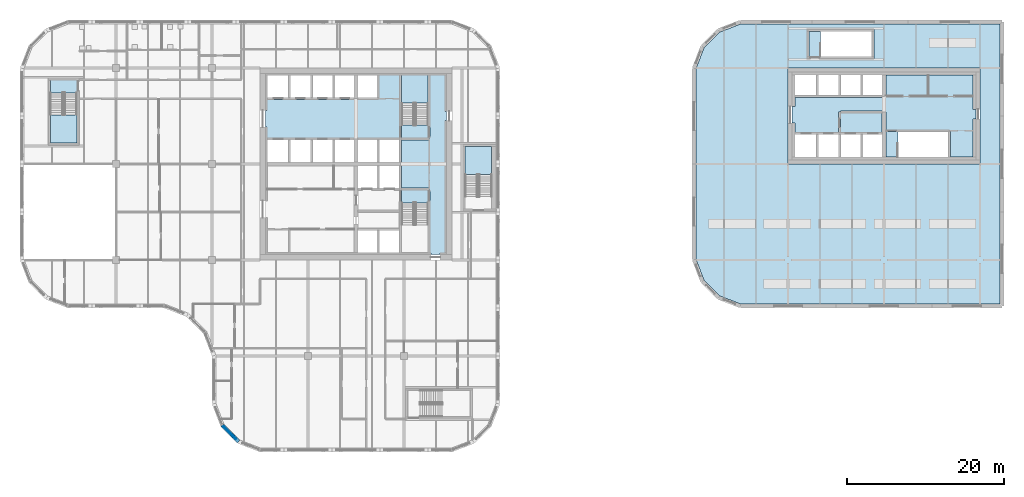
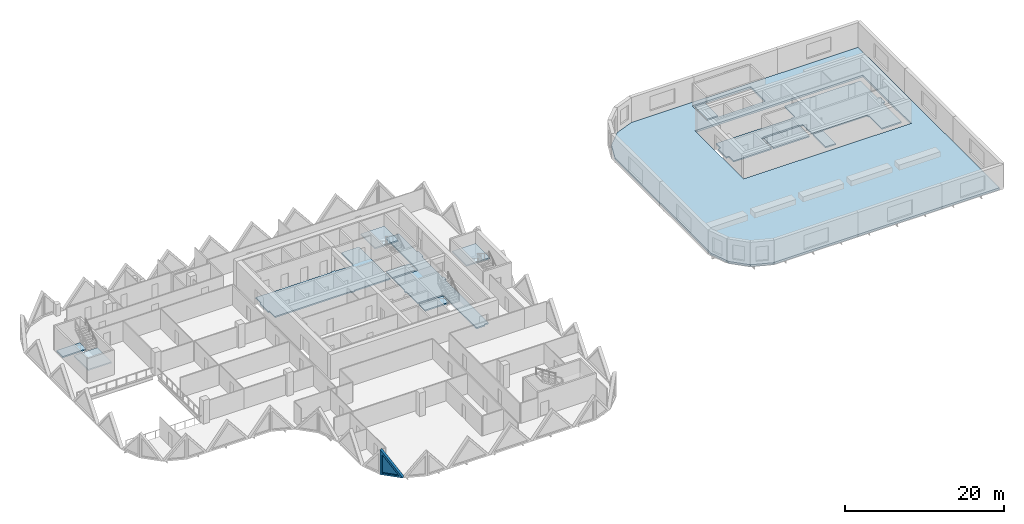
# One storey, part 3 of 17: 13 slabs, 1 plate, 1 wall, 1 opening, 3 elements without a shape of their own.
"""IFC4 building model written with IfcOpenShell, lengths in metres."""

import ifcopenshell
import ifcopenshell.guid

model = None  # the IFC model being written
_history = None  # IfcOwnerHistory: only IFC2X3 demands one
_inside = {}  # id of a spatial element -> (the spatial element, [elements in it])
_under = {}  # id of a project, library or spatial element -> (it, [spatial elements below it])
_declared = {}  # id of a project -> (the project, [libraries it declares])
_typed = {}  # id of a type object -> (the type object, [elements of that type])
_made_of = {}  # id of a material, layer set ... -> (it, [elements and type objects made of it])


def new_model(schema):
    """Start an empty IFC model of exactly this schema.

    Asked for "IFC4X3", IfcOpenShell would pick the latest addendum, in which some entities
    have other attributes; the version numbers below select the first issue.
    IFC2X3 requires an IfcOwnerHistory on every rooted entity: one is made here for all.
    """
    global model, _history
    if schema == "IFC4X3":
        model = ifcopenshell.file(schema_version=(4, 3, 0, 0))
    else:
        model = ifcopenshell.file(schema=schema)
    _inside.clear()
    _under.clear()
    _declared.clear()
    _typed.clear()
    _made_of.clear()
    _history = None
    if model.schema == "IFC2X3":
        org = make("IfcOrganization", Name="unknown")
        user = make(
            "IfcPersonAndOrganization",
            ThePerson=make("IfcPerson", FamilyName="unknown"),
            TheOrganization=org,
        )
        app = make(
            "IfcApplication",
            ApplicationDeveloper=org,
            Version="unknown",
            ApplicationFullName="unknown",
            ApplicationIdentifier="unknown",
        )
        _history = make(
            "IfcOwnerHistory",
            OwningUser=user,
            OwningApplication=app,
            ChangeAction="ADDED",
            CreationDate=0,
        )
    return model


def make(cls, **values):
    """One entity of the class cls with the attributes given. An attribute that is None is left unset."""
    return model.create_entity(
        cls, **{name: value for name, value in values.items() if value is not None}
    )


def rooted(cls, **values):
    """An entity with a GlobalId (a new one), such as an element, a storey or a relation."""
    return make(cls, GlobalId=ifcopenshell.guid.new(), OwnerHistory=_history, **values)


def si_unit(unit_type, name, prefix=None):
    """IfcSIUnit, for example si_unit("LENGTHUNIT", "METRE", prefix="MILLI")."""
    return make("IfcSIUnit", UnitType=unit_type, Prefix=prefix, Name=name)


def assignment(units):
    """IfcUnitAssignment: the units of a project."""
    return None if units is None else make("IfcUnitAssignment", Units=units)


def point(xyz):
    """IfcCartesianPoint."""
    return None if xyz is None else make("IfcCartesianPoint", Coordinates=xyz)


def direction(xyz):
    """IfcDirection."""
    return None if xyz is None else make("IfcDirection", DirectionRatios=xyz)


def frame(location, z_axis=None, x_axis=None):
    """IfcAxis2Placement3D, a coordinate frame: its origin and axes. An axis left out is left unset."""
    return make(
        "IfcAxis2Placement3D",
        Location=point(location),
        Axis=direction(z_axis),
        RefDirection=direction(x_axis),
    )


def origin():
    """The frame at (0, 0, 0) with its axes left unset."""
    return frame((0.0, 0.0, 0.0))


def place(relative_to, where):
    """IfcLocalPlacement: puts the frame where relative to a parent placement (None: the world)."""
    return make(
        "IfcLocalPlacement", PlacementRelTo=relative_to, RelativePlacement=where
    )


def context(
    kind, dimensions, precision=None, world=None, true_north=None, identifier=None
):
    """IfcGeometricRepresentationContext, for example the 3D "Model" context."""
    return make(
        "IfcGeometricRepresentationContext",
        ContextIdentifier=identifier,
        ContextType=kind,
        CoordinateSpaceDimension=dimensions,
        Precision=precision,
        WorldCoordinateSystem=world,
        TrueNorth=true_north,
    )


def subcontext(parent, identifier, kind, view, scale=None):
    """IfcGeometricRepresentationSubContext, for example "Body" below "Model"."""
    return make(
        "IfcGeometricRepresentationSubContext",
        ContextIdentifier=identifier,
        ContextType=kind,
        ParentContext=parent,
        TargetScale=scale,
        TargetView=view,
    )


def project(units=None, contexts=None):
    """IfcProject with its units and contexts."""
    return rooted(
        "IfcProject",
        Name="project",
        RepresentationContexts=contexts,
        UnitsInContext=assignment(units),
    )


def spatial(cls, under=None, at=None, **own):
    """A site, building, storey or space (cls), placed at a placement, below another one or the project."""
    s = rooted(cls, ObjectPlacement=at, **own)
    if under is not None:
        _under.setdefault(under.id(), (under, []))[1].append(s)
    return s


def polyline(points):
    """IfcPolyline through the points."""
    return make("IfcPolyline", Points=[point(p) for p in points])


def outline(outer, holes=None, kind="AREA"):
    """IfcArbitraryClosedProfileDef: a profile drawn as a closed curve; with holes, ...WithVoids."""
    if holes is None:
        return make("IfcArbitraryClosedProfileDef", ProfileType=kind, OuterCurve=outer)
    return make(
        "IfcArbitraryProfileDefWithVoids",
        ProfileType=kind,
        OuterCurve=outer,
        InnerCurves=holes,
    )


def extrude(swept, where, along, depth):
    """IfcExtrudedAreaSolid: the profile swept, set in the frame where, extruded along a direction by depth."""
    return make(
        "IfcExtrudedAreaSolid",
        SweptArea=swept,
        Position=where,
        ExtrudedDirection=direction(along),
        Depth=depth,
    )


def faces_of(points, faces, orient=None, outer=None):
    """IfcFace entities. A face is a list of loops; a loop is a list of indices into points, from 0.

    orient and outer hold one flag for each loop. By default every Orientation is true, the
    first loop of a face is its IfcFaceOuterBound and the others are IfcFaceBound.
    """
    made = []
    for i, loops in enumerate(faces):
        bounds = []
        for j, loop in enumerate(loops):
            is_outer = j == 0 if outer is None else outer[i][j]
            bounds.append(
                make(
                    "IfcFaceOuterBound" if is_outer else "IfcFaceBound",
                    Bound=make("IfcPolyLoop", Polygon=[points[k] for k in loop]),
                    Orientation=True if orient is None else orient[i][j],
                )
            )
        made.append(make("IfcFace", Bounds=bounds))
    return made


def faceted_brep(points, faces, orient=None, outer=None, voids=None):
    """IfcFacetedBrep: a solid bounded by flat faces; with voids (closed shells), ...WithVoids."""
    shared = [point(p) for p in points]
    hull = make("IfcClosedShell", CfsFaces=faces_of(shared, faces, orient, outer))
    if voids is None:
        return make("IfcFacetedBrep", Outer=hull)
    return make(
        "IfcFacetedBrepWithVoids",
        Outer=hull,
        Voids=[
            make(cls, CfsFaces=faces_of(shared, fs, o, b)) for cls, fs, o, b in voids
        ],
    )


def shape(context_of_items, identifier, shape_type, items):
    """IfcShapeRepresentation: the items that make up one representation, for example the "Body"."""
    return make(
        "IfcShapeRepresentation",
        ContextOfItems=context_of_items,
        RepresentationIdentifier=identifier,
        RepresentationType=shape_type,
        Items=items,
    )


def source(mapping_origin, context_of_items, identifier, shape_type, items):
    """IfcRepresentationMap: a shape defined once, which mapped items show again and again."""
    return make(
        "IfcRepresentationMap",
        MappingOrigin=mapping_origin,
        MappedRepresentation=shape(context_of_items, identifier, shape_type, items),
    )


def transform(
    local_origin,
    x_axis=None,
    y_axis=None,
    z_axis=None,
    scale=None,
    scale2=None,
    scale3=None,
    uniform=True,
):
    """IfcCartesianTransformationOperator3D, or its non-uniform kind. x_axis, y_axis, z_axis: its Axis1, 2, 3."""
    if uniform:
        return make(
            "IfcCartesianTransformationOperator3D",
            Axis1=direction(x_axis),
            Axis2=direction(y_axis),
            LocalOrigin=point(local_origin),
            Scale=scale,
            Axis3=direction(z_axis),
        )
    return make(
        "IfcCartesianTransformationOperator3DnonUniform",
        Axis1=direction(x_axis),
        Axis2=direction(y_axis),
        LocalOrigin=point(local_origin),
        Scale=scale,
        Axis3=direction(z_axis),
        Scale2=scale2,
        Scale3=scale3,
    )


def mapped(mapping_source, mapping_target):
    """IfcMappedItem: shows the shape of a source again, moved by a transform."""
    return make(
        "IfcMappedItem", MappingSource=mapping_source, MappingTarget=mapping_target
    )


def material(Name=None, Category=None):
    """IfcMaterial."""
    return make("IfcMaterial", Name=Name, Category=Category)


def layer(
    of_material, thickness, ventilated=None, Name=None, Category=None, Priority=None
):
    """IfcMaterialLayer: one layer of a wall or slab, of a material (None: an air gap)."""
    return make(
        "IfcMaterialLayer",
        Material=of_material,
        LayerThickness=thickness,
        IsVentilated=ventilated,
        Name=Name,
        Category=Category,
        Priority=Priority,
    )


def layer_set(layers, Name=None):
    """IfcMaterialLayerSet."""
    return make("IfcMaterialLayerSet", MaterialLayers=layers, LayerSetName=Name)


def made_of(thing, what):
    """Note that an element or type object is made of a material, layer set ...; save() writes the relation."""
    if what is not None:
        _made_of.setdefault(what.id(), (what, []))[1].append(thing)
    return thing


def type_object(cls, material=None, **own):
    """A type object (cls), such as IfcWallType, which elements share."""
    return made_of(rooted(cls, **own), material)


def element(
    cls,
    number,
    at=None,
    inside=None,
    cuts=None,
    type_object=None,
    material=None,
    context=None,
    identifier="Body",
    shape_type=None,
    held_by="IfcProductDefinitionShape",
    body=None,
    shapes=None,
    **own,
):
    """One element of the class cls, such as IfcWall. Its Tag is "e" and its number.

    at: its placement. inside: the storey or other place that contains it. cuts: it is an
    opening in that element (IfcRelVoidsElement). A single representation is given by context,
    identifier, shape_type and body (its items); several are given by shapes. held_by: the class
    of the entity that holds the representations. save() writes the other relations.
    """
    e = rooted(cls, Tag="e%d" % number, ObjectPlacement=at, **own)
    if body is not None:
        shapes = [shape(context, identifier, shape_type, body)]
    if shapes is not None:
        e.Representation = make(held_by, Representations=shapes)
    if inside is not None:
        _inside.setdefault(inside.id(), (inside, []))[1].append(e)
    if cuts is not None:
        rooted(
            "IfcRelVoidsElement", RelatingBuildingElement=cuts, RelatedOpeningElement=e
        )
    if type_object is not None:
        _typed.setdefault(type_object.id(), (type_object, []))[1].append(e)
    return made_of(e, material)


def fill(opening, filler):
    """IfcRelFillsElement: the door or window that sits in an opening."""
    return rooted(
        "IfcRelFillsElement",
        RelatingOpeningElement=opening,
        RelatedBuildingElement=filler,
    )


def aggregate(whole, parts):
    """IfcRelAggregates: a whole, such as a stair, and the parts it consists of."""
    return rooted("IfcRelAggregates", RelatingObject=whole, RelatedObjects=parts)


def save(model, path):
    """Write the relations noted so far, then the file.

    IfcRelAggregates (storeys below a building ...), IfcRelContainedInSpatialStructure (elements
    in a storey), IfcRelDefinesByType, IfcRelAssociatesMaterial and IfcRelDeclares: one each for
    every whole, place, type object, material and project.
    """
    for whole, parts in _under.values():
        aggregate(whole, parts)
    for where, things in _inside.values():
        rooted(
            "IfcRelContainedInSpatialStructure",
            RelatedElements=things,
            RelatingStructure=where,
        )
    for kind, things in _typed.values():
        rooted("IfcRelDefinesByType", RelatedObjects=things, RelatingType=kind)
    for what, things in _made_of.values():
        rooted("IfcRelAssociatesMaterial", RelatedObjects=things, RelatingMaterial=what)
    for by, libraries in _declared.values():
        rooted("IfcRelDeclares", RelatingContext=by, RelatedDefinitions=libraries)
    model.write(path)


model = new_model("IFC4")

# Units and contexts
model_context = context("Model", 3, precision=1e-05, world=origin(), true_north=direction((0.0, 1.0)))
body_context = subcontext(model_context, "Body", "Model", "MODEL_VIEW")
ifc_project = project(units=[si_unit("LENGTHUNIT", "METRE"), si_unit("AREAUNIT", "SQUARE_METRE"), si_unit("VOLUMEUNIT", "CUBIC_METRE"), si_unit("PLANEANGLEUNIT", "RADIAN"), si_unit("MASSUNIT", "GRAM", prefix="KILO")], contexts=[model_context])

# Site, building, storey
site_placement = place(None, origin())
site = spatial("IfcSite", under=ifc_project, at=site_placement, CompositionType="ELEMENT")
building_placement = place(site_placement, origin())
building = spatial("IfcBuilding", under=site, at=building_placement, Name="Tessera Gate Towers", CompositionType="ELEMENT")
storey_placement = place(building_placement, frame((0.0, 0.0, 112.60009765625)))
storey = spatial("IfcBuildingStorey", under=building, at=storey_placement, Name="L27", CompositionType="ELEMENT", Elevation=112.60009765625)

# Slabs
ifc_material_1 = material(Name="Concrete C35/45", Category="concrete")
ifc_layer_1 = layer(ifc_material_1, 0.199951171875)
ifc_layer_set_1 = layer_set([ifc_layer_1], Name="CORE FLOOR SLAB 200")
slab_type_1 = type_object("IfcSlabType", Name="CORE FLOOR SLAB 200", PredefinedType="FLOOR", material=ifc_layer_set_1)
slab_1_placement = place(storey_placement, frame((0.0, 0.0, -0.2001953125)))
element("IfcSlab", 1, at=slab_1_placement, inside=storey, type_object=slab_type_1, Name="L27 core floor slab", PredefinedType="FLOOR", context=body_context, shape_type="SweptSolid", body=[
    extrude(outline(polyline([(42.449951171875, 44.89990234375), (42.449951171875, 44.77490234375), (31.39990234375, 44.77490234375), (31.39990234375, 43.39990234375), (31.199951171875, 43.39990234375), (31.199951171875, 41.300048828125), (31.39990234375, 41.300048828125), (31.39990234375, 39.925048828125), (42.449951171875, 39.925048828125), (42.449951171875, 39.800048828125), (42.949951171875, 39.800048828125), (42.949951171875, 39.925048828125), (48.22509765625, 39.925048828125), (48.22509765625, 47.89990234375), (45.64990234375, 47.89990234375), (45.64990234375, 45.02490234375), (45.52490234375, 45.02490234375), (45.52490234375, 44.77490234375), (42.949951171875, 44.77490234375), (42.949951171875, 44.89990234375), (42.449951171875, 44.89990234375)])), origin(), (0.0, 0.0, 1.0), 0.2001953125),
])
slab_2_placement = place(storey_placement, frame((0.0, 0.0, -0.2001953125)))
element("IfcSlab", 2, at=slab_2_placement, inside=storey, type_object=slab_type_1, Name="L27 core floor slab", PredefinedType="FLOOR", context=body_context, shape_type="SweptSolid", body=[
    extrude(outline(polyline([(48.35009765625, 36.85009765625), (48.35009765625, 36.35009765625), (48.47509765625, 36.35009765625), (48.47509765625, 33.52490234375), (52.0, 33.52490234375), (52.0, 33.27490234375), (52.125, 33.27490234375), (52.125, 25.300048828125), (52.199951171875, 25.300048828125), (52.199951171875, 25.10009765625), (53.39990234375, 25.10009765625), (53.39990234375, 25.300048828125), (54.0, 25.300048828125), (54.0, 36.320068359375), (54.199951171875, 36.320068359375), (54.199951171875, 36.8798828125), (54.0, 36.8798828125), (54.0, 42.10009765625), (54.199951171875, 42.10009765625), (54.199951171875, 43.300048828125), (54.0, 43.300048828125), (54.0, 47.89990234375), (52.125, 47.89990234375), (52.125, 39.925048828125), (52.0, 39.925048828125), (52.0, 39.675048828125), (48.47509765625, 39.675048828125), (48.47509765625, 36.85009765625), (48.35009765625, 36.85009765625)])), origin(), (0.0, 0.0, 1.0), 0.2001953125),
])
slab_3_placement = place(storey_placement, frame((0.0, 0.0, -0.2001953125)))
element("IfcSlab", 3, at=slab_3_placement, inside=storey, type_object=slab_type_1, Name="L27 core floor slab", PredefinedType="FLOOR", context=body_context, shape_type="SweptSolid", body=[
    extrude(outline(polyline([(51.875, 31.675048828125), (51.875, 33.27490234375), (48.47509765625, 33.27490234375), (48.47509765625, 31.675048828125), (51.875, 31.675048828125)])), origin(), (0.0, 0.0, 1.0), 0.2001953125),
])
slab_4_placement = place(storey_placement, frame((0.0, 0.0, -0.2001953125)))
element("IfcSlab", 4, at=slab_4_placement, inside=storey, type_object=slab_type_1, Name="L27 core floor slab", PredefinedType="FLOOR", context=body_context, shape_type="SweptSolid", body=[
    extrude(outline(polyline([(48.47509765625, 41.52490234375), (48.47509765625, 39.925048828125), (51.875, 39.925048828125), (51.875, 41.52490234375), (48.47509765625, 41.52490234375)])), origin(), (0.0, 0.0, 1.0), 0.2001953125),
])
slab_5_placement = place(storey_placement, frame((0.0, 0.0, -0.2001953125)))
element("IfcSlab", 5, at=slab_5_placement, inside=storey, type_object=slab_type_1, Name="L27 ST3 floor landing", PredefinedType="FLOOR", context=body_context, shape_type="SweptSolid", body=[
    extrude(outline(polyline([(3.85009765625, 47.25), (3.85009765625, 45.64990234375), (7.25, 45.64990234375), (7.25, 47.25), (3.85009765625, 47.25)])), origin(), (0.0, 0.0, 1.0), 0.2001953125),
])
slab_6_placement = place(storey_placement, frame((0.0, 0.0, -0.2001953125)))
element("IfcSlab", 6, at=slab_6_placement, inside=storey, type_object=slab_type_1, Name="L27 core floor slab", PredefinedType="FLOOR", context=body_context, shape_type="SweptSolid", body=[
    extrude(outline(polyline([(109.550048828125, 45.199951171875), (109.550048828125, 45.074951171875), (98.5, 45.074951171875), (98.5, 43.89990234375), (98.10009765625, 43.89990234375), (98.10009765625, 41.800048828125), (98.5, 41.800048828125), (98.5, 40.625), (104.02490234375, 40.625), (104.02490234375, 43.199951171875), (104.27490234375, 43.199951171875), (104.27490234375, 43.324951171875), (109.550048828125, 43.324951171875), (109.550048828125, 43.199951171875), (110.050048828125, 43.199951171875), (110.050048828125, 40.949951171875), (118.10009765625, 40.949951171875), (118.10009765625, 40.699951171875), (118.22509765625, 40.699951171875), (118.22509765625, 37.5), (121.10009765625, 37.5), (121.10009765625, 42.35009765625), (121.5, 42.35009765625), (121.5, 43.550048828125), (121.10009765625, 43.550048828125), (121.10009765625, 47.89990234375), (110.050048828125, 47.89990234375), (110.050048828125, 45.199951171875), (109.550048828125, 45.199951171875)])), origin(), (0.0, 0.0, 1.0), 0.2001953125),
])
slab_7_placement = place(storey_placement, frame((0.0, 0.0, -0.2001953125)))
element("IfcSlab", 7, at=slab_7_placement, inside=storey, type_object=slab_type_1, Name="L27 core floor slab", PredefinedType="FLOOR", context=body_context, shape_type="SweptSolid", body=[
    extrude(outline(polyline([(109.550048828125, 43.074951171875), (104.27490234375, 43.074951171875), (104.27490234375, 40.625), (109.550048828125, 40.625), (109.550048828125, 43.074951171875)])), origin(), (0.0, 0.0, 1.0), 0.2001953125),
])
slab_8_placement = place(storey_placement, frame((0.0, 0.0, -0.2001953125)))
element("IfcSlab", 8, at=slab_8_placement, inside=storey, type_object=slab_type_1, Name="L27 core floor slab", PredefinedType="FLOOR", context=body_context, shape_type="SweptSolid", body=[
    extrude(outline(polyline([(111.550048828125, 37.5), (111.550048828125, 40.699951171875), (110.050048828125, 40.699951171875), (110.050048828125, 37.5), (111.550048828125, 37.5)])), origin(), (0.0, 0.0, 1.0), 0.2001953125),
])
slab_9_placement = place(storey_placement, frame((0.0, 0.0, -0.2001953125)))
element("IfcSlab", 9, at=slab_9_placement, inside=storey, type_object=slab_type_1, Name="L27 ST7 floor landing", PredefinedType="FLOOR", context=body_context, shape_type="SweptSolid", body=[
    extrude(outline(polyline([(100.25, 50.25), (101.75, 50.25), (101.75, 53.449951171875), (100.25, 53.449951171875), (100.25, 50.25)])), origin(), (0.0, 0.0, 1.0), 0.2001953125),
])

# Stair, slab
ifc_material_2 = material(Name="Concrete C40/50", Category="concrete")
stair_type_1 = type_object("IfcStairType", Name="EXIT STAIR ST2 1600", PredefinedType="HALF_TURN_STAIR", material=ifc_material_2)
stair_1_placement = place(storey_placement, origin())
stair_1 = element("IfcStair", 10, at=stair_1_placement, inside=storey, type_object=stair_type_1, Name="L27 Protected Exit Stair ST2", PredefinedType="HALF_TURN_STAIR")
ifc_material_3 = material(Name="Concrete C40/50", Category="concrete")
ifc_layer_2 = layer(ifc_material_3, 0.199951171875)
ifc_layer_set_2 = layer_set([ifc_layer_2], Name="EXIT STAIR LANDING 200")
slab_type_2 = type_object("IfcSlabType", Name="EXIT STAIR LANDING 200", PredefinedType="LANDING", material=ifc_layer_set_2)
slab_10_placement = place(storey_placement, frame((0.0, 0.0, 1.699951171875)))
slab_10 = element("IfcSlab", 11, at=slab_10_placement, type_object=slab_type_2, Name="ST2 landing 1", PredefinedType="LANDING", context=body_context, shape_type="SweptSolid", body=[
    extrude(outline(polyline([(51.875, 44.324951171875), (51.875, 47.89990234375), (48.47509765625, 47.89990234375), (48.47509765625, 44.324951171875), (51.875, 44.324951171875)])), origin(), (0.0, 0.0, 1.0), 0.199951171875),
])
aggregate(stair_1, [slab_10])

ifc_material_4 = material(Name="Concrete C40/50", Category="concrete")
stair_type_2 = type_object("IfcStairType", Name="EXIT STAIR ST3 1600", PredefinedType="HALF_TURN_STAIR", material=ifc_material_4)
stair_2_placement = place(storey_placement, origin())
stair_2 = element("IfcStair", 12, at=stair_2_placement, inside=storey, type_object=stair_type_2, Name="L27 West Exit Stair ST3", PredefinedType="HALF_TURN_STAIR")
slab_11_placement = place(storey_placement, frame((0.0, 0.0, 1.699951171875)))
slab_11 = element("IfcSlab", 13, at=slab_11_placement, type_object=slab_type_2, Name="ST3 landing 1", PredefinedType="LANDING", context=body_context, shape_type="SweptSolid", body=[
    extrude(outline(polyline([(3.85009765625, 42.85009765625), (3.85009765625, 39.25), (7.25, 39.25), (7.25, 42.85009765625), (3.85009765625, 42.85009765625)])), origin(), (0.0, 0.0, 1.0), 0.199951171875),
])
aggregate(stair_2, [slab_11])

ifc_material_5 = material(Name="Concrete C40/50", Category="concrete")
stair_type_3 = type_object("IfcStairType", Name="EXIT STAIR ST5 1600", PredefinedType="HALF_TURN_STAIR", material=ifc_material_5)
stair_3_placement = place(storey_placement, origin())
stair_3 = element("IfcStair", 14, at=stair_3_placement, inside=storey, type_object=stair_type_3, Name="L27 East Exit Stair ST5", PredefinedType="HALF_TURN_STAIR")
slab_12_placement = place(storey_placement, frame((0.0, 0.0, 1.699951171875)))
slab_12 = element("IfcSlab", 15, at=slab_12_placement, type_object=slab_type_2, Name="ST5 landing 1", PredefinedType="LANDING", context=body_context, shape_type="SweptSolid", body=[
    extrude(outline(polyline([(59.949951171875, 35.25), (59.949951171875, 38.85009765625), (56.550048828125, 38.85009765625), (56.550048828125, 35.25), (59.949951171875, 35.25)])), origin(), (0.0, 0.0, 1.0), 0.199951171875),
])
aggregate(stair_3, [slab_12])

# Slab
ifc_material_6 = material(Name="Concrete C35/45", Category="concrete")
ifc_layer_3 = layer(ifc_material_6, 0.300048828125)
ifc_layer_set_3 = layer_set([ifc_layer_3], Name="ROOF SLAB 300")
slab_type_3 = type_object("IfcSlabType", Name="ROOF SLAB 300", PredefinedType="ROOF", material=ifc_layer_set_3)
slab_13_placement = place(storey_placement, frame((0.0, 0.0, -0.300048828125)))
element("IfcSlab", 16, at=slab_13_placement, inside=storey, type_object=slab_type_3, Name="T2-ROOF-WEST", PredefinedType="ROOF", context=body_context, shape_type="SweptSolid", body=[
    extrude(outline(polyline([(85.89990234375, 24.4931640625), (86.926025390625, 21.8330078125), (88.93310546875, 19.826171875), (91.593017578125, 18.800048828125), (124.550048828125, 18.800048828125), (124.550048828125, 54.39990234375), (91.593017578125, 54.39990234375), (88.93310546875, 53.373779296875), (86.926025390625, 51.366943359375), (85.89990234375, 48.706787109375), (85.89990234375, 24.4931640625)]), holes=[polyline([(97.60009765625, 36.60009765625), (97.60009765625, 48.800048828125), (122.0, 48.800048828125), (122.0, 36.60009765625), (97.60009765625, 36.60009765625)]), polyline([(100.0, 50.0), (100.0, 53.699951171875), (108.5, 53.699951171875), (108.5, 50.0), (100.0, 50.0)])]), origin(), (0.0, 0.0, 1.0), 0.300048828125),
])

# Wall, opening, plate
ifc_material_7 = material(Name="Precast concrete C60/75 white", Category="concrete")
ifc_layer_4 = layer(ifc_material_7, 0.5)
ifc_layer_set_4 = layer_set([ifc_layer_4], Name="TS3 corner tessera")
wall_type = type_object("IfcWallType", Name="TS3 corner tessera", PredefinedType="SOLIDWALL", material=ifc_layer_set_4)
shared_shape_1 = source(origin(), body_context, "Body", "Brep", [
    faceted_brep([(2.9970703125, -0.25, 0.0), (0.052978515625, -0.25, 3.7998046875), (0.0, -0.25, 3.731689453125), (0.0, -0.25, 0.0), (0.10595703125, 0.25, 3.7314453125), (2.944091796875, 0.25, 0.068115234375), (2.944091796875, 0.25, 0.0), (0.10595703125, 0.25, 0.0), (0.052978515625, 0.0, 3.7998046875), (2.9970703125, 0.000244140625, 0.0)], [[[0, 1, 2, 3]], [[4, 5, 6, 7]], [[5, 4, 8, 1, 0, 9]], [[2, 1, 8]], [[7, 6, 9, 0, 3]], [[7, 3, 2, 8, 4]], [[9, 6, 5]]]),
])
wall_placement = place(storey_placement, frame((25.674560546875, 3.43115234375, 0.0), z_axis=(0.0, 0.0, 1.0), x_axis=(0.707106781187, -0.707106781187, 0.0)))
wall = element("IfcWall", 17, at=wall_placement, inside=storey, type_object=wall_type, Name="Precast corner tessera T1 TS3-0624", PredefinedType="SOLIDWALL", context=body_context, shape_type="MappedRepresentation", body=[
    mapped(shared_shape_1, transform((0.0, 0.0, 0.0), scale=1.0)),
])
shared_shape_2 = source(origin(), body_context, "Body", "SweptSolid", [
    extrude(outline(polyline([(2.487060546875, 0.25), (0.2529296875, 3.133544921875), (0.2529296875, 0.25), (2.487060546875, 0.25)])), frame((0.0, 0.260009765625, 0.0), z_axis=(0.0, -1.0, 0.0), x_axis=(1.0, 0.0, 0.0)), (0.0, 0.0, 1.0), 0.52001953125),
])
opening_placement = place(wall_placement, origin())
opening = element("IfcOpeningElement", 18, at=opening_placement, cuts=wall, Name="Opening T1-PL1-0328", PredefinedType="OPENING", context=body_context, shape_type="MappedRepresentation", body=[
    mapped(shared_shape_2, transform((0.0, 0.0, 0.0), scale=1.0)),
])
ifc_material_8 = material(Name="Low-e laminated glass", Category="glass")
ifc_layer_5 = layer(ifc_material_8, 0.06005859375)
ifc_layer_set_5 = layer_set([ifc_layer_5], Name="PL1 triangular pane")
plate_type = type_object("IfcPlateType", Name="PL1 triangular pane", PredefinedType="SHEET", material=ifc_layer_set_5)
shared_shape_3 = source(origin(), body_context, "Body", "SweptSolid", [
    extrude(outline(polyline([(2.487060546875, 0.25), (0.2529296875, 3.133544921875), (0.2529296875, 0.25), (2.487060546875, 0.25)])), frame((0.0, 0.030029296875, 0.0), z_axis=(0.0, -1.0, 0.0), x_axis=(1.0, 0.0, 0.0)), (0.0, 0.0, 1.0), 0.06005859375),
])
plate_placement = place(opening_placement, origin())
plate = element("IfcPlate", 19, at=plate_placement, inside=storey, type_object=plate_type, Name="Glass pane T1 PL1-0328", PredefinedType="SHEET", context=body_context, shape_type="MappedRepresentation", body=[
    mapped(shared_shape_3, transform((0.0, 0.0, 0.0), scale=1.0)),
])
fill(opening, plate)

save(model, "model.ifc")
